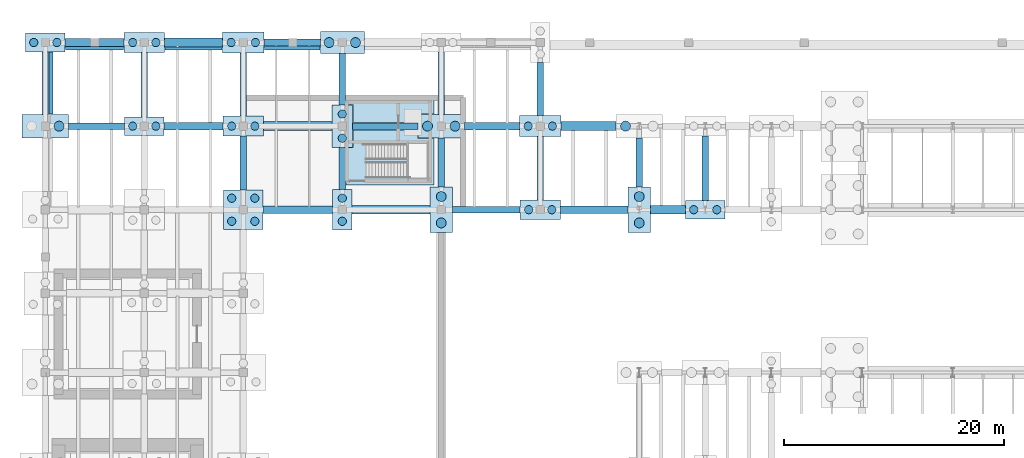
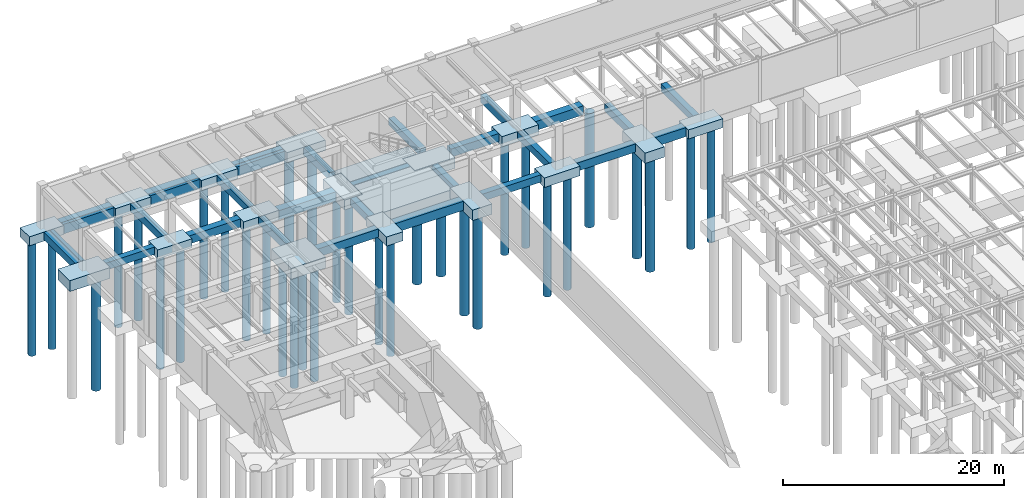
# One storey, part 7 of 59: 48 footings, 34 piles.
"""IFC4 building model written with IfcOpenShell, lengths in metres."""

from ifc_helpers import new_model, si_unit, direction, frame, origin, origin_2d, place, context, subcontext, project, spatial, polyline, rectangle, circle, outline, extrude, material, material_profile, profile_set, type_object, element, save


model = new_model("IFC4")

# Units and contexts
model_context = context("Model", 3, precision=1e-05, world=origin(), true_north=direction((0.0, 1.0)))
body_context = subcontext(model_context, "Body", "Model", "MODEL_VIEW")
ifc_project = project(units=[si_unit("LENGTHUNIT", "METRE"), si_unit("AREAUNIT", "SQUARE_METRE"), si_unit("VOLUMEUNIT", "CUBIC_METRE"), si_unit("PLANEANGLEUNIT", "RADIAN"), si_unit("MASSUNIT", "GRAM", prefix="KILO")], contexts=[model_context])

# Site, building, storey
site_placement = place(None, origin())
site = spatial("IfcSite", under=ifc_project, at=site_placement, CompositionType="ELEMENT")
building_placement = place(site_placement, origin())
building = spatial("IfcBuilding", under=site, at=building_placement, Name="Montealbar Specialist Clinic", CompositionType="ELEMENT")
storey_placement = place(building_placement, frame((0.0, 0.0, -4.800048828125)))
storey = spatial("IfcBuildingStorey", under=building, at=storey_placement, Name="B01", CompositionType="ELEMENT", Elevation=-4.800048828125)

# Footings
ifc_material = material(Name="Concrete C35/45", Category="concrete")
footing_type_1 = type_object("IfcFootingType", Name="FB-TIE-600x800", PredefinedType="FOOTING_BEAM", material=ifc_material)
footing_1_placement = place(storey_placement, frame((0.0, 0.0, -0.800048828125)))
element("IfcFooting", 1, at=footing_1_placement, inside=storey, type_object=footing_type_1, Name="Foundation Ground Beam FBX-370-432-958", PredefinedType="FOOTING_BEAM", context=body_context, shape_type="SweptSolid", body=[
    extrude(outline(polyline([(37.02490234375, 95.5), (43.14990234375, 95.5), (43.14990234375, 96.10009765625), (37.02490234375, 96.10009765625), (37.02490234375, 95.5)])), origin(), (0.0, 0.0, 1.0), 0.800048828125),
])
footing_2_placement = place(storey_placement, frame((0.0, 0.0, -0.800048828125)))
element("IfcFooting", 2, at=footing_2_placement, inside=storey, type_object=footing_type_1, Name="Foundation Ground Beam FBX-21-72-1034", PredefinedType="FOOTING_BEAM", context=body_context, shape_type="SweptSolid", body=[
    extrude(outline(polyline([(2.10009765625, 103.10009765625), (7.199951171875, 103.10009765625), (7.199951171875, 103.699951171875), (2.10009765625, 103.699951171875), (2.10009765625, 103.10009765625)])), origin(), (0.0, 0.0, 1.0), 0.800048828125),
])
footing_3_placement = place(storey_placement, frame((0.0, 0.0, -1.25)))
element("IfcFooting", 3, at=footing_3_placement, inside=storey, type_object=footing_type_1, Name="Foundation Ground Beam FBX-279-339-1034", PredefinedType="FOOTING_BEAM", context=body_context, shape_type="SweptSolid", body=[
    extrude(outline(polyline([(27.925048828125, 103.10009765625), (33.89990234375, 103.10009765625), (33.89990234375, 103.699951171875), (27.925048828125, 103.699951171875), (27.925048828125, 103.10009765625)])), origin(), (0.0, 0.0, 1.0), 0.800048828125),
])
footing_4_placement = place(storey_placement, frame((0.0, 0.0, -0.800048828125)))
element("IfcFooting", 4, at=footing_4_placement, inside=storey, type_object=footing_type_1, Name="Foundation Ground Beam FBX-199-250-1110", PredefinedType="FOOTING_BEAM", context=body_context, shape_type="SweptSolid", body=[
    extrude(outline(polyline([(19.89990234375, 110.699951171875), (25.0, 110.699951171875), (25.0, 111.300048828125), (19.89990234375, 111.300048828125), (19.89990234375, 110.699951171875)])), origin(), (0.0, 0.0, 1.0), 0.800048828125),
])
footing_5_placement = place(storey_placement, frame((0.0, 0.0, -0.800048828125)))
element("IfcFooting", 5, at=footing_5_placement, inside=storey, type_object=footing_type_1, Name="Foundation Tie Beam FBY-0-1045-1102", PredefinedType="FOOTING_BEAM", context=body_context, shape_type="SweptSolid", body=[
    extrude(outline(polyline([(-0.300048828125, 104.47509765625), (0.300048828125, 104.47509765625), (0.300048828125, 110.14990234375), (-0.300048828125, 110.14990234375), (-0.300048828125, 104.47509765625)])), origin(), (0.0, 0.0, 1.0), 0.800048828125),
])
footing_6_placement = place(storey_placement, frame((0.0, 0.0, -0.800048828125)))
element("IfcFooting", 6, at=footing_6_placement, inside=storey, type_object=footing_type_1, Name="Foundation Tie Beam FBY-90-1042-1101", PredefinedType="FOOTING_BEAM", context=body_context, shape_type="SweptSolid", body=[
    extrude(outline(polyline([(8.699951171875, 104.25), (9.300048828125, 104.25), (9.300048828125, 110.10009765625), (8.699951171875, 110.10009765625), (8.699951171875, 104.25)])), origin(), (0.0, 0.0, 1.0), 0.800048828125),
])
footing_7_placement = place(storey_placement, frame((0.0, 0.0, -0.800048828125)))
element("IfcFooting", 7, at=footing_7_placement, inside=storey, type_object=footing_type_1, Name="Foundation Tie Beam FBY-180-976-1025", PredefinedType="FOOTING_BEAM", context=body_context, shape_type="SweptSolid", body=[
    extrude(outline(polyline([(17.699951171875, 97.60009765625), (18.300048828125, 97.60009765625), (18.300048828125, 102.5), (17.699951171875, 102.5), (17.699951171875, 97.60009765625)])), origin(), (0.0, 0.0, 1.0), 0.800048828125),
])
footing_8_placement = place(storey_placement, frame((0.0, 0.0, -0.800048828125)))
element("IfcFooting", 8, at=footing_8_placement, inside=storey, type_object=footing_type_1, Name="Foundation Tie Beam FBY-180-1043-1100", PredefinedType="FOOTING_BEAM", context=body_context, shape_type="SweptSolid", body=[
    extrude(outline(polyline([(17.699951171875, 104.300048828125), (18.300048828125, 104.300048828125), (18.300048828125, 110.050048828125), (17.699951171875, 110.050048828125), (17.699951171875, 104.300048828125)])), origin(), (0.0, 0.0, 1.0), 0.800048828125),
])
footing_9_placement = place(storey_placement, frame((0.0, 0.0, -1.25)))
element("IfcFooting", 9, at=footing_9_placement, inside=storey, type_object=footing_type_1, Name="Foundation Tie Beam FBY-270-976-1015", PredefinedType="FOOTING_BEAM", context=body_context, shape_type="SweptSolid", body=[
    extrude(outline(polyline([(26.699951171875, 97.625), (27.300048828125, 97.625), (27.300048828125, 101.47509765625), (26.699951171875, 101.47509765625), (26.699951171875, 97.625)])), origin(), (0.0, 0.0, 1.0), 0.800048828125),
])
footing_10_placement = place(storey_placement, frame((0.0, 0.0, -0.800048828125)))
element("IfcFooting", 10, at=footing_10_placement, inside=storey, type_object=footing_type_1, Name="Foundation Tie Beam FBY-270-1053-1100", PredefinedType="FOOTING_BEAM", context=body_context, shape_type="SweptSolid", body=[
    extrude(outline(polyline([(26.699951171875, 105.324951171875), (27.300048828125, 105.324951171875), (27.300048828125, 110.0), (26.699951171875, 110.0), (26.699951171875, 105.324951171875)])), origin(), (0.0, 0.0, 1.0), 0.800048828125),
])
footing_11_placement = place(storey_placement, frame((0.0, 0.0, -1.25)))
element("IfcFooting", 11, at=footing_11_placement, inside=storey, type_object=footing_type_1, Name="Foundation Tie Beam FBY-360-978-1023", PredefinedType="FOOTING_BEAM", context=body_context, shape_type="SweptSolid", body=[
    extrude(outline(polyline([(35.699951171875, 97.85009765625), (36.300048828125, 97.85009765625), (36.300048828125, 102.324951171875), (35.699951171875, 102.324951171875), (35.699951171875, 97.85009765625)])), origin(), (0.0, 0.0, 1.0), 0.800048828125),
])
footing_12_placement = place(storey_placement, frame((0.0, 0.0, -0.800048828125)))
element("IfcFooting", 12, at=footing_12_placement, inside=storey, type_object=footing_type_1, Name="Foundation Tie Beam FBY-360-1045-1102", PredefinedType="FOOTING_BEAM", context=body_context, shape_type="SweptSolid", body=[
    extrude(outline(polyline([(35.699951171875, 104.47509765625), (36.300048828125, 104.47509765625), (36.300048828125, 110.14990234375), (35.699951171875, 110.14990234375), (35.699951171875, 104.47509765625)])), origin(), (0.0, 0.0, 1.0), 0.800048828125),
])
footing_13_placement = place(storey_placement, frame((0.0, 0.0, -0.800048828125)))
element("IfcFooting", 13, at=footing_13_placement, inside=storey, type_object=footing_type_1, Name="Foundation Tie Beam FBY-450-967-1024", PredefinedType="FOOTING_BEAM", context=body_context, shape_type="SweptSolid", body=[
    extrude(outline(polyline([(44.699951171875, 96.699951171875), (45.300048828125, 96.699951171875), (45.300048828125, 102.449951171875), (44.699951171875, 102.449951171875), (44.699951171875, 96.699951171875)])), origin(), (0.0, 0.0, 1.0), 0.800048828125),
])
footing_14_placement = place(storey_placement, frame((0.0, 0.0, -0.800048828125)))
element("IfcFooting", 14, at=footing_14_placement, inside=storey, type_object=footing_type_1, Name="Foundation Tie Beam FBY-450-1044-1092", PredefinedType="FOOTING_BEAM", context=body_context, shape_type="SweptSolid", body=[
    extrude(outline(polyline([(44.699951171875, 104.35009765625), (45.300048828125, 104.35009765625), (45.300048828125, 109.175048828125), (44.699951171875, 109.175048828125), (44.699951171875, 104.35009765625)])), origin(), (0.0, 0.0, 1.0), 0.800048828125),
])
footing_15_placement = place(storey_placement, frame((0.0, 0.0, -0.800048828125)))
element("IfcFooting", 15, at=footing_15_placement, inside=storey, type_object=footing_type_1, Name="Foundation Tie Beam FBY-540-978-1023", PredefinedType="FOOTING_BEAM", context=body_context, shape_type="SweptSolid", body=[
    extrude(outline(polyline([(53.699951171875, 97.85009765625), (54.300048828125, 97.85009765625), (54.300048828125, 102.324951171875), (53.699951171875, 102.324951171875), (53.699951171875, 97.85009765625)])), origin(), (0.0, 0.0, 1.0), 0.800048828125),
])
footing_16_placement = place(storey_placement, frame((0.0, 0.0, -0.800048828125)))
element("IfcFooting", 16, at=footing_16_placement, inside=storey, type_object=footing_type_1, Name="Foundation Tie Beam FBY-600-966-1025", PredefinedType="FOOTING_BEAM", context=body_context, shape_type="SweptSolid", body=[
    extrude(outline(polyline([(59.699951171875, 96.64990234375), (60.300048828125, 96.64990234375), (60.300048828125, 102.5), (59.699951171875, 102.5), (59.699951171875, 96.64990234375)])), origin(), (0.0, 0.0, 1.0), 0.800048828125),
])
footing_type_2 = type_object("IfcFootingType", Name="FB-TIE-700x900", PredefinedType="FOOTING_BEAM", material=ifc_material)
footing_17_placement = place(storey_placement, frame((0.0, 0.0, -0.89990234375)))
element("IfcFooting", 17, at=footing_17_placement, inside=storey, type_object=footing_type_2, Name="Foundation Ground Beam FBX-198-261-958", PredefinedType="FOOTING_BEAM", context=body_context, shape_type="SweptSolid", body=[
    extrude(outline(polyline([(19.800048828125, 95.449951171875), (26.125, 95.449951171875), (26.125, 96.14990234375), (19.800048828125, 96.14990234375), (19.800048828125, 95.449951171875)])), origin(), (0.0, 0.0, 1.0), 0.89990234375),
])
footing_18_placement = place(storey_placement, frame((0.0, 0.0, -0.89990234375)))
element("IfcFooting", 18, at=footing_18_placement, inside=storey, type_object=footing_type_2, Name="Foundation Ground Beam FBX-468-530-958", PredefinedType="FOOTING_BEAM", context=body_context, shape_type="SweptSolid", body=[
    extrude(outline(polyline([(46.85009765625, 95.449951171875), (52.97509765625, 95.449951171875), (52.97509765625, 96.14990234375), (46.85009765625, 96.14990234375), (46.85009765625, 95.449951171875)])), origin(), (0.0, 0.0, 1.0), 0.89990234375),
])
footing_19_placement = place(storey_placement, frame((0.0, 0.0, -0.89990234375)))
element("IfcFooting", 19, at=footing_19_placement, inside=storey, type_object=footing_type_2, Name="Foundation Ground Beam FBX-108-162-1034", PredefinedType="FOOTING_BEAM", context=body_context, shape_type="SweptSolid", body=[
    extrude(outline(polyline([(10.800048828125, 103.050048828125), (16.14990234375, 103.050048828125), (16.14990234375, 103.75), (10.800048828125, 103.75), (10.800048828125, 103.050048828125)])), origin(), (0.0, 0.0, 1.0), 0.89990234375),
])
footing_20_placement = place(storey_placement, frame((0.0, 0.0, -0.89990234375)))
element("IfcFooting", 20, at=footing_20_placement, inside=storey, type_object=footing_type_2, Name="Foundation Ground Beam FBX-381-431-1034", PredefinedType="FOOTING_BEAM", context=body_context, shape_type="SweptSolid", body=[
    extrude(outline(polyline([(38.10009765625, 103.050048828125), (43.10009765625, 103.050048828125), (43.10009765625, 103.75), (38.10009765625, 103.75), (38.10009765625, 103.050048828125)])), origin(), (0.0, 0.0, 1.0), 0.89990234375),
])
footing_21_placement = place(storey_placement, frame((0.0, 0.0, -0.89990234375)))
element("IfcFooting", 21, at=footing_21_placement, inside=storey, type_object=footing_type_2, Name="Foundation Ground Beam FBX-18-72-1110", PredefinedType="FOOTING_BEAM", context=body_context, shape_type="SweptSolid", body=[
    extrude(outline(polyline([(1.800048828125, 110.64990234375), (7.14990234375, 110.64990234375), (7.14990234375, 111.35009765625), (1.800048828125, 111.35009765625), (1.800048828125, 110.64990234375)])), origin(), (0.0, 0.0, 1.0), 0.89990234375),
])
footing_type_3 = type_object("IfcFootingType", Name="FB-TIE-800x1000", PredefinedType="FOOTING_BEAM", material=ifc_material)
footing_22_placement = place(storey_placement, frame((0.0, 0.0, -1.0)))
element("IfcFooting", 22, at=footing_22_placement, inside=storey, type_object=footing_type_3, Name="Foundation Ground Beam FBX-279-350-958", PredefinedType="FOOTING_BEAM", context=body_context, shape_type="SweptSolid", body=[
    extrude(outline(polyline([(27.875, 95.39990234375), (34.97509765625, 95.39990234375), (34.97509765625, 96.199951171875), (27.875, 96.199951171875), (27.875, 95.39990234375)])), origin(), (0.0, 0.0, 1.0), 1.0),
])
footing_23_placement = place(storey_placement, frame((0.0, 0.0, -1.0)))
element("IfcFooting", 23, at=footing_23_placement, inside=storey, type_object=footing_type_3, Name="Foundation Ground Beam FBX-550-582-958", PredefinedType="FOOTING_BEAM", context=body_context, shape_type="SweptSolid", body=[
    extrude(outline(polyline([(55.02490234375, 95.39990234375), (58.199951171875, 95.39990234375), (58.199951171875, 96.199951171875), (55.02490234375, 96.199951171875), (55.02490234375, 95.39990234375)])), origin(), (0.0, 0.0, 1.0), 1.0),
])
footing_24_placement = place(storey_placement, frame((0.0, 0.0, -1.449951171875)))
element("IfcFooting", 24, at=footing_24_placement, inside=storey, type_object=footing_type_3, Name="Foundation Ground Beam FBX-198-261-1034", PredefinedType="FOOTING_BEAM", context=body_context, shape_type="SweptSolid", body=[
    extrude(outline(polyline([(19.85009765625, 103.0), (26.074951171875, 103.0), (26.074951171875, 103.800048828125), (19.85009765625, 103.800048828125), (19.85009765625, 103.0)])), origin(), (0.0, 0.0, 1.0), 1.0),
])
footing_25_placement = place(storey_placement, frame((0.0, 0.0, -1.0)))
element("IfcFooting", 25, at=footing_25_placement, inside=storey, type_object=footing_type_3, Name="Foundation Ground Beam FBX-469-519-1034", PredefinedType="FOOTING_BEAM", context=body_context, shape_type="SweptSolid", body=[
    extrude(outline(polyline([(46.89990234375, 103.0), (51.89990234375, 103.0), (51.89990234375, 103.800048828125), (46.89990234375, 103.800048828125), (46.89990234375, 103.0)])), origin(), (0.0, 0.0, 1.0), 1.0),
])
footing_26_placement = place(storey_placement, frame((0.0, 0.0, -1.0)))
element("IfcFooting", 26, at=footing_26_placement, inside=storey, type_object=footing_type_3, Name="Foundation Ground Beam FBX-108-161-1110", PredefinedType="FOOTING_BEAM", context=body_context, shape_type="SweptSolid", body=[
    extrude(outline(polyline([(10.85009765625, 110.60009765625), (16.10009765625, 110.60009765625), (16.10009765625, 111.39990234375), (10.85009765625, 111.39990234375), (10.85009765625, 110.60009765625)])), origin(), (0.0, 0.0, 1.0), 1.0),
])
footing_type_4 = type_object("IfcFootingType", Name="FT-CORE-STRIP", PredefinedType="STRIP_FOOTING", material=ifc_material)
footing_27_placement = place(storey_placement, frame((0.0, 0.0, -1.050048828125)))
element("IfcFooting", 27, at=footing_27_placement, inside=storey, type_object=footing_type_4, Name="Strip Footing FT-PLINTH-NW-W-1", PredefinedType="STRIP_FOOTING", context=body_context, shape_type="SweptSolid", body=[
    extrude(outline(polyline([(0.330078125, 110.1201171875), (0.699951171875, 110.1201171875), (0.699951171875, 104.5048828125), (0.330078125, 104.5048828125), (0.330078125, 110.1201171875)])), origin(), (0.0, 0.0, 1.0), 1.050048828125),
])
footing_28_placement = place(storey_placement, frame((0.0, 0.0, -1.050048828125)))
element("IfcFooting", 28, at=footing_28_placement, inside=storey, type_object=footing_type_4, Name="Strip Footing FT-PLINTH-N-ALL-1", PredefinedType="STRIP_FOOTING", context=body_context, shape_type="SweptSolid", body=[
    extrude(outline(polyline([(16.070068359375, 110.300048828125), (10.8798828125, 110.300048828125), (10.8798828125, 110.570068359375), (16.070068359375, 110.570068359375), (16.070068359375, 110.300048828125)])), origin(), (0.0, 0.0, 1.0), 1.050048828125),
])
footing_29_placement = place(storey_placement, frame((0.0, 0.0, -1.050048828125)))
element("IfcFooting", 29, at=footing_29_placement, inside=storey, type_object=footing_type_4, Name="Strip Footing FT-PLINTH-N-ALL-2", PredefinedType="STRIP_FOOTING", context=body_context, shape_type="SweptSolid", body=[
    extrude(outline(polyline([(19.929931640625, 110.300048828125), (19.929931640625, 110.669921875), (24.969970703125, 110.669921875), (24.969970703125, 110.300048828125), (19.929931640625, 110.300048828125)])), origin(), (0.0, 0.0, 1.0), 1.050048828125),
])
footing_30_placement = place(storey_placement, frame((0.0, 0.0, -1.050048828125)))
element("IfcFooting", 30, at=footing_30_placement, inside=storey, type_object=footing_type_4, Name="Strip Footing FT-PLINTH-N-ALL-12", PredefinedType="STRIP_FOOTING", context=body_context, shape_type="SweptSolid", body=[
    extrude(outline(polyline([(1.830078125, 110.300048828125), (1.830078125, 110.6201171875), (7.1201171875, 110.6201171875), (7.1201171875, 110.300048828125), (1.830078125, 110.300048828125)])), origin(), (0.0, 0.0, 1.0), 1.050048828125),
])
footing_31_placement = place(storey_placement, frame((0.0, 0.0, -1.5)))
element("IfcFooting", 31, at=footing_31_placement, inside=storey, type_object=footing_type_4, Name="Strip Footing FT-CORE-C2-1", PredefinedType="STRIP_FOOTING", context=body_context, shape_type="SweptSolid", body=[
    extrude(outline(polyline([(35.35009765625, 98.050048828125), (27.330078125, 98.050048828125), (27.330078125, 101.445068359375), (27.955078125, 101.445068359375), (27.955078125, 103.070068359375), (33.8701171875, 103.070068359375), (33.8701171875, 102.294921875), (35.35009765625, 102.294921875), (35.35009765625, 98.050048828125)])), origin(), (0.0, 0.0, 1.0), 1.050048828125),
])
footing_32_placement = place(storey_placement, frame((0.0, 0.0, -1.5)))
element("IfcFooting", 32, at=footing_32_placement, inside=storey, type_object=footing_type_4, Name="Strip Footing FT-CORE-C2-2", PredefinedType="STRIP_FOOTING", context=body_context, shape_type="SweptSolid", body=[
    extrude(outline(polyline([(27.955078125, 105.35498046875), (27.330078125, 105.35498046875), (27.330078125, 105.949951171875), (35.35009765625, 105.949951171875), (35.35009765625, 104.5048828125), (33.8701171875, 104.5048828125), (33.8701171875, 103.72998046875), (27.955078125, 103.72998046875), (27.955078125, 105.35498046875)])), origin(), (0.0, 0.0, 1.0), 1.050048828125),
])
footing_type_5 = type_object("IfcFootingType", Name="PC-2A", PredefinedType="PILE_CAP", material=ifc_material)
for number, where, z_axis, x_axis, name in (
    (33, (0.0, 111.0, -1.0), (0.0, 0.0, 1.0), (1.0, 0.0, 0.0), "Pile Cap 1/P"),
    (34, (9.0, 103.39990234375, -1.0), (0.0, 0.0, 1.0), (1.0, 0.0, 0.0), "Pile Cap 2/N"),
    (35, (60.0, 95.800048828125, -1.0), (0.0, 0.0, 1.0), (1.0, 0.0, 0.0), "Pile Cap 8/M"),
):
    element("IfcFooting", number, at=place(storey_placement, frame(where, z_axis=z_axis, x_axis=x_axis)), inside=storey, type_object=footing_type_5, Name=name, PredefinedType="PILE_CAP", context=body_context, shape_type="SweptSolid", body=[
        extrude(rectangle(XDim=3.60009765625, YDim=1.699951171875, at=origin_2d()), origin(), (0.0, 0.0, 1.0), 1.0),
    ])
footing_type_6 = type_object("IfcFootingType", Name="PC-2B", PredefinedType="PILE_CAP", material=ifc_material)
for number, where, z_axis, x_axis, name in (
    (36, (9.0, 111.0, -1.0498046875), (0.0, 0.0, 1.0), (1.0, 0.0, 0.0), "Pile Cap 2/P"),
    (37, (18.0, 103.39990234375, -1.0498046875), (0.0, 0.0, 1.0), (1.0, 0.0, 0.0), "Pile Cap 3/N"),
    (38, (45.0, 95.800048828125, -1.0498046875), (0.0, 0.0, 1.0), (1.0, 0.0, 0.0), "Pile Cap 6/M"),
):
    element("IfcFooting", number, at=place(storey_placement, frame(where, z_axis=z_axis, x_axis=x_axis)), inside=storey, type_object=footing_type_6, Name=name, PredefinedType="PILE_CAP", context=body_context, shape_type="SweptSolid", body=[
        extrude(rectangle(XDim=3.699951171875, YDim=1.800048828125, at=origin_2d()), origin(), (0.0, 0.0, 1.0), 1.050048828125),
    ])
footing_type_7 = type_object("IfcFootingType", Name="PC-2C", PredefinedType="PILE_CAP", material=ifc_material)
for number, where, z_axis, x_axis, name in (
    (39, (18.0, 111.0, -1.10009765625), (0.0, 0.0, 1.0), (1.0, 0.0, 0.0), "Pile Cap 3/P"),
    (40, (45.0, 103.39990234375, -1.10009765625), (0.0, 0.0, 1.0), (1.0, 0.0, 0.0), "Pile Cap 6/N"),
):
    element("IfcFooting", number, at=place(storey_placement, frame(where, z_axis=z_axis, x_axis=x_axis)), inside=storey, type_object=footing_type_7, Name=name, PredefinedType="PILE_CAP", context=body_context, shape_type="SweptSolid", body=[
        extrude(rectangle(XDim=3.800048828125, YDim=1.89990234375, at=origin_2d()), origin(), (0.0, 0.0, 1.0), 1.10009765625),
    ])
footing_type_8 = type_object("IfcFootingType", Name="PC-2D", PredefinedType="PILE_CAP", material=ifc_material)
footing_33_placement = place(storey_placement, frame((27.0, 95.800048828125, -1.0), z_axis=(0.0, 0.0, 1.0), x_axis=(1.0, 0.0, 0.0)))
element("IfcFooting", 41, at=footing_33_placement, inside=storey, type_object=footing_type_8, Name="Pile Cap 4/M", PredefinedType="PILE_CAP", context=body_context, shape_type="SweptSolid", body=[
    extrude(rectangle(XDim=1.75, YDim=3.64990234375, at=origin_2d()), origin(), (0.0, 0.0, 1.0), 1.0),
])
footing_type_9 = type_object("IfcFootingType", Name="PC-2E", PredefinedType="PILE_CAP", material=ifc_material)
footing_34_placement = place(storey_placement, frame((27.0, 103.39990234375, -1.550048828125), z_axis=(0.0, 0.0, 1.0), x_axis=(1.0, 0.0, 0.0)))
element("IfcFooting", 42, at=footing_34_placement, inside=storey, type_object=footing_type_9, Name="Pile Cap 4/N", PredefinedType="PILE_CAP", context=body_context, shape_type="SweptSolid", body=[
    extrude(rectangle(XDim=1.85009765625, YDim=3.85009765625, at=origin_2d()), origin(), (0.0, 0.0, 1.0), 1.10009765625),
])
footing_type_10 = type_object("IfcFootingType", Name="PC-2F", PredefinedType="PILE_CAP", material=ifc_material)
footing_35_placement = place(storey_placement, frame((27.0, 111.0, -1.14990234375), z_axis=(0.0, 0.0, 1.0), x_axis=(1.0, 0.0, 0.0)))
element("IfcFooting", 43, at=footing_35_placement, inside=storey, type_object=footing_type_10, Name="Pile Cap 4/P", PredefinedType="PILE_CAP", context=body_context, shape_type="SweptSolid", body=[
    extrude(rectangle(XDim=4.0, YDim=2.0, at=origin_2d()), origin(), (0.0, 0.0, 1.0), 1.14990234375),
])
footing_type_11 = type_object("IfcFootingType", Name="PC-2G", PredefinedType="PILE_CAP", material=ifc_material)
for number, where, z_axis, x_axis, name in (
    (44, (36.0, 95.800048828125, -1.14990234375), (0.0, 0.0, 1.0), (1.0, 0.0, 0.0), "Pile Cap 5/M"),
    (45, (54.0, 95.800048828125, -1.14990234375), (0.0, 0.0, 1.0), (1.0, 0.0, 0.0), "Pile Cap 7/M"),
):
    element("IfcFooting", number, at=place(storey_placement, frame(where, z_axis=z_axis, x_axis=x_axis)), inside=storey, type_object=footing_type_11, Name=name, PredefinedType="PILE_CAP", context=body_context, shape_type="SweptSolid", body=[
        extrude(rectangle(XDim=2.050048828125, YDim=4.10009765625, at=origin_2d()), origin(), (0.0, 0.0, 1.0), 1.14990234375),
    ])
footing_type_12 = type_object("IfcFootingType", Name="PC-2H", PredefinedType="PILE_CAP", material=ifc_material)
for number, where, z_axis, x_axis, name in (
    (46, (0.0, 103.39990234375, -1.19970703125), (0.0, 0.0, 1.0), (1.0, 0.0, 0.0), "Pile Cap 1/N"),
    (47, (36.0, 103.39990234375, -1.64990234375), (0.0, 0.0, 1.0), (1.0, 0.0, 0.0), "Pile Cap 5/N"),
):
    element("IfcFooting", number, at=place(storey_placement, frame(where, z_axis=z_axis, x_axis=x_axis)), inside=storey, type_object=footing_type_12, Name=name, PredefinedType="PILE_CAP", context=body_context, shape_type="SweptSolid", body=[
        extrude(rectangle(XDim=4.199951171875, YDim=2.14990234375, at=origin_2d()), origin(), (0.0, 0.0, 1.0), 1.199951171875),
    ])
footing_type_13 = type_object("IfcFootingType", Name="PC-4A", PredefinedType="PILE_CAP", material=ifc_material)
footing_36_placement = place(storey_placement, frame((18.0, 95.800048828125, -1.19970703125), z_axis=(0.0, 0.0, 1.0), x_axis=(1.0, 0.0, 0.0)))
element("IfcFooting", 48, at=footing_36_placement, inside=storey, type_object=footing_type_13, Name="Pile Cap 3/M", PredefinedType="PILE_CAP", context=body_context, shape_type="SweptSolid", body=[
    extrude(rectangle(XDim=3.60009765625, YDim=3.60009765625, at=origin_2d()), origin(), (0.0, 0.0, 1.0), 1.199951171875),
])

# Piles
ifc_material_profile_1 = material_profile(ifc_material, circle(Radius=0.375, at=origin_2d()), Name="PILE D750", Category="concrete")
ifc_profile_set_1 = profile_set([ifc_material_profile_1], Name="Concrete C35/45")
pile_type_1 = type_object("IfcPileType", Name="PILE-D750", PredefinedType="BORED", material=ifc_profile_set_1)
for number, where, z_axis, x_axis, name in (
    (49, (-1.050048828125, 111.0, -0.89990234375), (0.0, 0.0, -1.0), (1.0, 0.0, 0.0), "Bored Pile 1/P-P1"),
    (50, (1.050048828125, 111.0, -0.89990234375), (0.0, 0.0, -1.0), (1.0, 0.0, 0.0), "Bored Pile 1/P-P2"),
    (51, (7.949951171875, 103.39990234375, -0.89990234375), (0.0, 0.0, -1.0), (1.0, 0.0, 0.0), "Bored Pile 2/N-P1"),
    (52, (10.050048828125, 103.39990234375, -0.89990234375), (0.0, 0.0, -1.0), (1.0, 0.0, 0.0), "Bored Pile 2/N-P2"),
):
    element("IfcPile", number, at=place(storey_placement, frame(where, z_axis=z_axis, x_axis=x_axis)), inside=storey, type_object=pile_type_1, Name=name, PredefinedType="BORED", context=body_context, shape_type="SweptSolid", body=[
        extrude(circle(Radius=0.375, at=origin_2d()), origin(), (0.0, 0.0, 1.0), 12.800048828125),
    ])
for number, where, z_axis, x_axis, name in (
    (53, (7.949951171875, 111.0, -0.949951171875), (0.0, 0.0, -1.0), (1.0, 0.0, 0.0), "Bored Pile 2/P-P1"),
    (54, (10.050048828125, 111.0, -0.949951171875), (0.0, 0.0, -1.0), (1.0, 0.0, 0.0), "Bored Pile 2/P-P2"),
):
    element("IfcPile", number, at=place(storey_placement, frame(where, z_axis=z_axis, x_axis=x_axis)), inside=storey, type_object=pile_type_1, Name=name, PredefinedType="BORED", context=body_context, shape_type="SweptSolid", body=[
        extrude(circle(Radius=0.375, at=origin_2d()), origin(), (0.0, 0.0, 1.0), 12.75),
    ])
for number, where, z_axis, x_axis, name in (
    (55, (16.949951171875, 94.75, -1.099853515625), (0.0, 0.0, -1.0), (1.0, 0.0, 0.0), "Bored Pile 3/M-P1"),
    (56, (19.050048828125, 94.75, -1.099853515625), (0.0, 0.0, -1.0), (1.0, 0.0, 0.0), "Bored Pile 3/M-P2"),
    (57, (16.949951171875, 96.85009765625, -1.099853515625), (0.0, 0.0, -1.0), (1.0, 0.0, 0.0), "Bored Pile 3/M-P3"),
    (58, (19.050048828125, 96.85009765625, -1.099853515625), (0.0, 0.0, -1.0), (1.0, 0.0, 0.0), "Bored Pile 3/M-P4"),
):
    element("IfcPile", number, at=place(storey_placement, frame(where, z_axis=z_axis, x_axis=x_axis)), inside=storey, type_object=pile_type_1, Name=name, PredefinedType="BORED", context=body_context, shape_type="SweptSolid", body=[
        extrude(circle(Radius=0.375, at=origin_2d()), origin(), (0.0, 0.0, 1.0), 12.60009765625),
    ])
for number, where, z_axis, x_axis, name in (
    (59, (16.949951171875, 103.39990234375, -0.949951171875), (0.0, 0.0, -1.0), (1.0, 0.0, 0.0), "Bored Pile 3/N-P1"),
    (60, (19.050048828125, 103.39990234375, -0.949951171875), (0.0, 0.0, -1.0), (1.0, 0.0, 0.0), "Bored Pile 3/N-P2"),
):
    element("IfcPile", number, at=place(storey_placement, frame(where, z_axis=z_axis, x_axis=x_axis)), inside=storey, type_object=pile_type_1, Name=name, PredefinedType="BORED", context=body_context, shape_type="SweptSolid", body=[
        extrude(circle(Radius=0.375, at=origin_2d()), origin(), (0.0, 0.0, 1.0), 12.75),
    ])
for number, where, z_axis, x_axis, name in (
    (61, (16.89990234375, 111.0, -1.0), (0.0, 0.0, -1.0), (1.0, 0.0, 0.0), "Bored Pile 3/P-P1"),
    (62, (19.10009765625, 111.0, -1.0), (0.0, 0.0, -1.0), (1.0, 0.0, 0.0), "Bored Pile 3/P-P2"),
):
    element("IfcPile", number, at=place(storey_placement, frame(where, z_axis=z_axis, x_axis=x_axis)), inside=storey, type_object=pile_type_1, Name=name, PredefinedType="BORED", context=body_context, shape_type="SweptSolid", body=[
        extrude(circle(Radius=0.375, at=origin_2d()), origin(), (0.0, 0.0, 1.0), 12.699951171875),
    ])
for number, where, z_axis, x_axis, name in (
    (63, (27.0, 94.75, -0.89990234375), (0.0, 0.0, -1.0), (1.0, 0.0, 0.0), "Bored Pile 4/M-P1"),
    (64, (27.0, 96.85009765625, -0.89990234375), (0.0, 0.0, -1.0), (1.0, 0.0, 0.0), "Bored Pile 4/M-P2"),
):
    element("IfcPile", number, at=place(storey_placement, frame(where, z_axis=z_axis, x_axis=x_axis)), inside=storey, type_object=pile_type_1, Name=name, PredefinedType="BORED", context=body_context, shape_type="SweptSolid", body=[
        extrude(circle(Radius=0.375, at=origin_2d()), origin(), (0.0, 0.0, 1.0), 12.800048828125),
    ])
for number, where, z_axis, x_axis, name in (
    (65, (27.0, 102.300048828125, -1.449951171875), (0.0, 0.0, -1.0), (1.0, 0.0, 0.0), "Bored Pile 4/N-P1"),
    (66, (27.0, 104.5, -1.449951171875), (0.0, 0.0, -1.0), (1.0, 0.0, 0.0), "Bored Pile 4/N-P2"),
):
    element("IfcPile", number, at=place(storey_placement, frame(where, z_axis=z_axis, x_axis=x_axis)), inside=storey, type_object=pile_type_1, Name=name, PredefinedType="BORED", context=body_context, shape_type="SweptSolid", body=[
        extrude(circle(Radius=0.375, at=origin_2d()), origin(), (0.0, 0.0, 1.0), 12.25),
    ])
for number, where, z_axis, x_axis, name in (
    (67, (43.949951171875, 95.800048828125, -0.949951171875), (0.0, 0.0, -1.0), (1.0, 0.0, 0.0), "Bored Pile 6/M-P1"),
    (68, (46.050048828125, 95.800048828125, -0.949951171875), (0.0, 0.0, -1.0), (1.0, 0.0, 0.0), "Bored Pile 6/M-P2"),
):
    element("IfcPile", number, at=place(storey_placement, frame(where, z_axis=z_axis, x_axis=x_axis)), inside=storey, type_object=pile_type_1, Name=name, PredefinedType="BORED", context=body_context, shape_type="SweptSolid", body=[
        extrude(circle(Radius=0.375, at=origin_2d()), origin(), (0.0, 0.0, 1.0), 12.75),
    ])
for number, where, z_axis, x_axis, name in (
    (69, (43.89990234375, 103.39990234375, -1.0), (0.0, 0.0, -1.0), (1.0, 0.0, 0.0), "Bored Pile 6/N-P1"),
    (70, (46.10009765625, 103.39990234375, -1.0), (0.0, 0.0, -1.0), (1.0, 0.0, 0.0), "Bored Pile 6/N-P2"),
):
    element("IfcPile", number, at=place(storey_placement, frame(where, z_axis=z_axis, x_axis=x_axis)), inside=storey, type_object=pile_type_1, Name=name, PredefinedType="BORED", context=body_context, shape_type="SweptSolid", body=[
        extrude(circle(Radius=0.375, at=origin_2d()), origin(), (0.0, 0.0, 1.0), 12.699951171875),
    ])
for number, where, z_axis, x_axis, name in (
    (71, (58.949951171875, 95.800048828125, -0.89990234375), (0.0, 0.0, -1.0), (1.0, 0.0, 0.0), "Bored Pile 8/M-P1"),
    (72, (61.050048828125, 95.800048828125, -0.89990234375), (0.0, 0.0, -1.0), (1.0, 0.0, 0.0), "Bored Pile 8/M-P2"),
):
    element("IfcPile", number, at=place(storey_placement, frame(where, z_axis=z_axis, x_axis=x_axis)), inside=storey, type_object=pile_type_1, Name=name, PredefinedType="BORED", context=body_context, shape_type="SweptSolid", body=[
        extrude(circle(Radius=0.375, at=origin_2d()), origin(), (0.0, 0.0, 1.0), 12.800048828125),
    ])
ifc_material_profile_2 = material_profile(ifc_material, circle(Radius=0.449951171875, at=origin_2d()), Name="PILE D900", Category="concrete")
ifc_profile_set_2 = profile_set([ifc_material_profile_2], Name="Concrete C35/45")
pile_type_2 = type_object("IfcPileType", Name="PILE-D900", PredefinedType="BORED", material=ifc_profile_set_2)
pile_1_placement = place(storey_placement, frame((1.25, 103.39990234375, -1.099853515625), z_axis=(0.0, 0.0, -1.0), x_axis=(1.0, 0.0, 0.0)))
element("IfcPile", 73, at=pile_1_placement, inside=storey, type_object=pile_type_2, Name="Bored Pile 1/N-P2", PredefinedType="BORED", context=body_context, shape_type="SweptSolid", body=[
    extrude(circle(Radius=0.449951171875, at=origin_2d()), origin(), (0.0, 0.0, 1.0), 12.60009765625),
])
for number, where, z_axis, x_axis, name in (
    (74, (25.800048828125, 111.0, -1.050048828125), (0.0, 0.0, -1.0), (1.0, 0.0, 0.0), "Bored Pile 4/P-P1"),
    (75, (28.199951171875, 111.0, -1.050048828125), (0.0, 0.0, -1.0), (1.0, 0.0, 0.0), "Bored Pile 4/P-P2"),
    (76, (36.0, 94.60009765625, -1.050048828125), (0.0, 0.0, -1.0), (1.0, 0.0, 0.0), "Bored Pile 5/M-P1"),
    (77, (36.0, 97.0, -1.050048828125), (0.0, 0.0, -1.0), (1.0, 0.0, 0.0), "Bored Pile 5/M-P2"),
):
    element("IfcPile", number, at=place(storey_placement, frame(where, z_axis=z_axis, x_axis=x_axis)), inside=storey, type_object=pile_type_2, Name=name, PredefinedType="BORED", context=body_context, shape_type="SweptSolid", body=[
        extrude(circle(Radius=0.449951171875, at=origin_2d()), origin(), (0.0, 0.0, 1.0), 12.64990234375),
    ])
for number, where, z_axis, x_axis, name in (
    (78, (34.75, 103.39990234375, -1.550048828125), (0.0, 0.0, -1.0), (1.0, 0.0, 0.0), "Bored Pile 5/N-P1"),
    (79, (37.25, 103.39990234375, -1.550048828125), (0.0, 0.0, -1.0), (1.0, 0.0, 0.0), "Bored Pile 5/N-P2"),
):
    element("IfcPile", number, at=place(storey_placement, frame(where, z_axis=z_axis, x_axis=x_axis)), inside=storey, type_object=pile_type_2, Name=name, PredefinedType="BORED", context=body_context, shape_type="SweptSolid", body=[
        extrude(circle(Radius=0.449951171875, at=origin_2d()), origin(), (0.0, 0.0, 1.0), 12.14990234375),
    ])
for number, where, z_axis, x_axis, name in (
    (80, (54.0, 94.60009765625, -1.050048828125), (0.0, 0.0, -1.0), (1.0, 0.0, 0.0), "Bored Pile 7/M-P1"),
    (81, (54.0, 97.0, -1.050048828125), (0.0, 0.0, -1.0), (1.0, 0.0, 0.0), "Bored Pile 7/M-P2"),
):
    element("IfcPile", number, at=place(storey_placement, frame(where, z_axis=z_axis, x_axis=x_axis)), inside=storey, type_object=pile_type_2, Name=name, PredefinedType="BORED", context=body_context, shape_type="SweptSolid", body=[
        extrude(circle(Radius=0.449951171875, at=origin_2d()), origin(), (0.0, 0.0, 1.0), 12.64990234375),
    ])
pile_2_placement = place(storey_placement, frame((52.75, 103.39990234375, -1.099853515625), z_axis=(0.0, 0.0, -1.0), x_axis=(1.0, 0.0, 0.0)))
element("IfcPile", 82, at=pile_2_placement, inside=storey, type_object=pile_type_2, Name="Bored Pile 7/N-P1", PredefinedType="BORED", context=body_context, shape_type="SweptSolid", body=[
    extrude(circle(Radius=0.449951171875, at=origin_2d()), origin(), (0.0, 0.0, 1.0), 12.60009765625),
])

save(model, "model.ifc")
